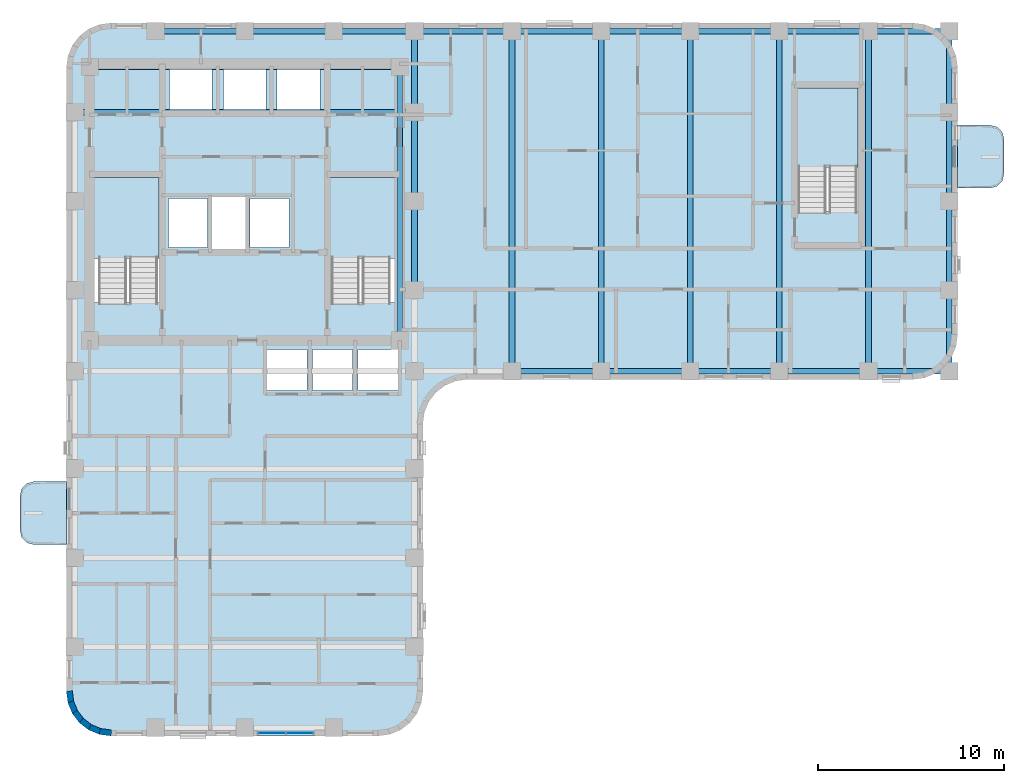
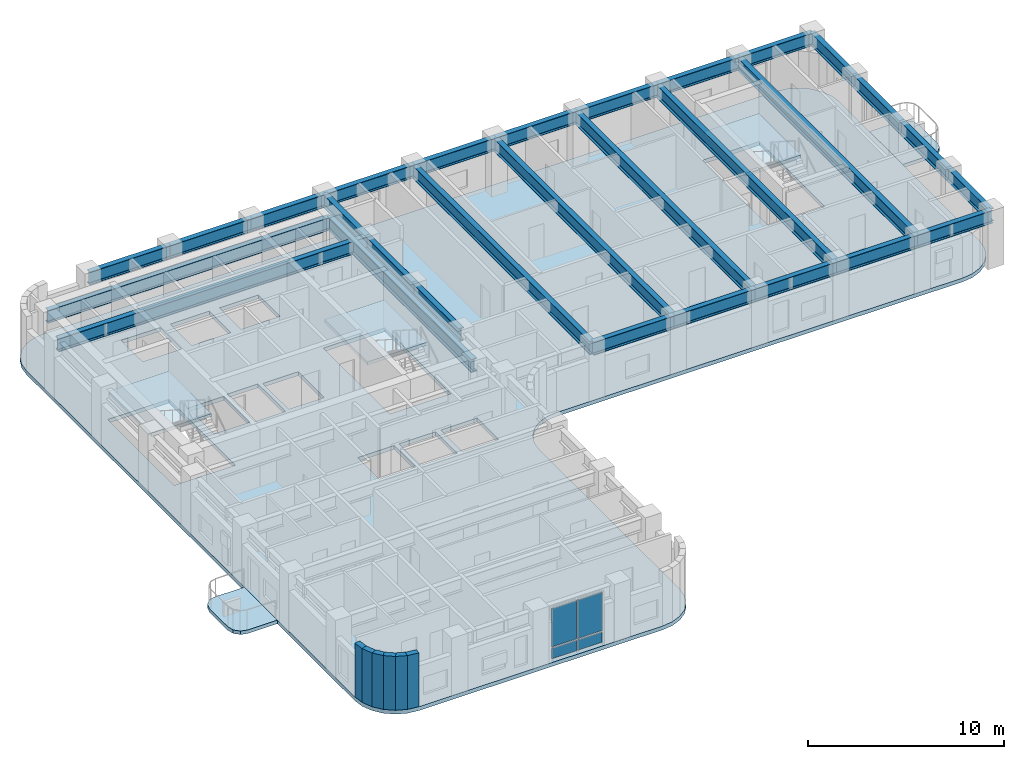
# One storey, part 3 of 11: 29 beams, 6 slabs, 6 walls, 4 plates, 4 elements without a shape of their own.
"""IFC4 building model written with IfcOpenShell, lengths in metres."""

from ifc_helpers import new_model, si_unit, direction, frame, frame_2d, origin, origin_2d, place, context, subcontext, project, spatial, polyline, rectangle, i_section, outline, extrude, material, layer, layer_set, material_profile, profile_set, type_object, element, aggregate, save


model = new_model("IFC4")

# Units and contexts
model_context = context("Model", 3, precision=1e-05, world=origin(), true_north=direction((0.0, 1.0)))
body_context = subcontext(model_context, "Body", "Model", "MODEL_VIEW")
ifc_project = project(units=[si_unit("LENGTHUNIT", "METRE"), si_unit("AREAUNIT", "SQUARE_METRE"), si_unit("VOLUMEUNIT", "CUBIC_METRE"), si_unit("PLANEANGLEUNIT", "RADIAN"), si_unit("MASSUNIT", "GRAM", prefix="KILO")], contexts=[model_context])

# Site, building, storey
site_placement = place(None, origin())
site = spatial("IfcSite", under=ifc_project, at=site_placement, CompositionType="ELEMENT")
building_placement = place(site_placement, origin())
building = spatial("IfcBuilding", under=site, at=building_placement, Name="Orvandelia Arch Residences", CompositionType="ELEMENT")
storey_placement = place(building_placement, frame((0.0, 0.0, 125.199951171875)))
storey = spatial("IfcBuildingStorey", under=building, at=storey_placement, Name="L32", CompositionType="ELEMENT", Elevation=125.199951171875)

# Beams
ifc_material_1 = material(Name="Structural Steel SM355 (355 MPa)", Category="steel")
ifc_material_profile = material_profile(ifc_material_1, i_section(OverallWidth=0.300048828125, OverallDepth=0.800048828125, WebThickness=0.013916015625, FlangeThickness=0.02587890625, FilletRadius=0.02587890625, at=origin_2d()), Name="Structural Steel SM355 (355 MPa)", Category="steel")
ifc_profile_set = profile_set([ifc_material_profile], Name="Structural Steel SM355 (355 MPa)")
beam_type = type_object("IfcBeamType", Name="BM-GRD-H800", PredefinedType="BEAM", material=ifc_profile_set)
beam_1_placement = place(storey_placement, frame((22.75, 30.89990234375, 2.9599609375), z_axis=(0.0, 1.0, 0.0), x_axis=(-1.0, 0.0, 0.0)))
element("IfcBeam", 1, at=beam_1_placement, inside=storey, type_object=beam_type, Name="Structural Frame Beam L32-NS-008", PredefinedType="BEAM", context=body_context, shape_type="SweptSolid", body=[
    extrude(i_section(OverallWidth=0.300048828125, OverallDepth=0.800048828125, WebThickness=0.013916015625, FlangeThickness=0.02587890625, FilletRadius=0.02587890625, at=origin_2d()), origin(), (0.0, 0.0, 1.0), 14.75),
])
beam_2_placement = place(storey_placement, frame((23.550048828125, 33.60009765625, 2.9599609375), z_axis=(0.0, 1.0, 0.0), x_axis=(-1.0, 0.0, 0.0)))
element("IfcBeam", 2, at=beam_2_placement, inside=storey, type_object=beam_type, Name="Structural Frame Beam L32-NS-013", PredefinedType="BEAM", context=body_context, shape_type="SweptSolid", body=[
    extrude(i_section(OverallWidth=0.300048828125, OverallDepth=0.800048828125, WebThickness=0.013916015625, FlangeThickness=0.02587890625, FilletRadius=0.02587890625, at=origin_2d()), origin(), (0.0, 0.0, 1.0), 4.7998046875),
])
beam_3_placement = place(storey_placement, frame((23.550048828125, 38.39990234375, 2.9599609375), z_axis=(0.0, 1.0, 0.0), x_axis=(-1.0, 0.0, 0.0)))
element("IfcBeam", 3, at=beam_3_placement, inside=storey, type_object=beam_type, Name="Structural Frame Beam L32-NS-014", PredefinedType="BEAM", context=body_context, shape_type="SweptSolid", body=[
    extrude(i_section(OverallWidth=0.300048828125, OverallDepth=0.800048828125, WebThickness=0.013916015625, FlangeThickness=0.02587890625, FilletRadius=0.02587890625, at=origin_2d()), origin(), (0.0, 0.0, 1.0), 4.800048828125),
])
beam_4_placement = place(storey_placement, frame((23.550048828125, 43.199951171875, 2.9599609375), z_axis=(0.0, 1.0, 0.0), x_axis=(-1.0, 0.0, 0.0)))
element("IfcBeam", 4, at=beam_4_placement, inside=storey, type_object=beam_type, Name="Structural Frame Beam L32-NS-015", PredefinedType="BEAM", context=body_context, shape_type="SweptSolid", body=[
    extrude(i_section(OverallWidth=0.300048828125, OverallDepth=0.800048828125, WebThickness=0.013916015625, FlangeThickness=0.02587890625, FilletRadius=0.02587890625, at=origin_2d()), origin(), (0.0, 0.0, 1.0), 4.35009765625),
])
for number, where, z_axis, x_axis, name in (
    (5, (28.800048828125, 29.25, 2.9599609375), (0.0, 1.0, 0.0), (-1.0, 0.0, 0.0), "Structural Frame Beam L32-NS-016"),
    (6, (33.60009765625, 29.25, 2.9599609375), (0.0, 1.0, 0.0), (-1.0, 0.0, 0.0), "Structural Frame Beam L32-NS-017"),
    (7, (38.39990234375, 29.25, 2.9599609375), (0.0, 1.0, 0.0), (-1.0, 0.0, 0.0), "Structural Frame Beam L32-NS-018"),
    (8, (43.199951171875, 29.25, 2.9599609375), (0.0, 1.0, 0.0), (-1.0, 0.0, 0.0), "Structural Frame Beam L32-NS-019"),
    (9, (48.0, 29.25, 2.9599609375), (0.0, 1.0, 0.0), (-1.0, 0.0, 0.0), "Structural Frame Beam L32-NS-020"),
):
    element("IfcBeam", number, at=place(storey_placement, frame(where, z_axis=z_axis, x_axis=x_axis)), inside=storey, type_object=beam_type, Name=name, PredefinedType="BEAM", context=body_context, shape_type="SweptSolid", body=[
        extrude(i_section(OverallWidth=0.300048828125, OverallDepth=0.800048828125, WebThickness=0.013916015625, FlangeThickness=0.02587890625, FilletRadius=0.02587890625, at=origin_2d()), origin(), (0.0, 0.0, 1.0), 18.300048828125),
    ])
beam_5_placement = place(storey_placement, frame((52.35009765625, 29.25, 2.9599609375), z_axis=(0.0, 1.0, 0.0), x_axis=(-1.0, 0.0, 0.0)))
element("IfcBeam", 10, at=beam_5_placement, inside=storey, type_object=beam_type, Name="Structural Frame Beam L32-NS-021", PredefinedType="BEAM", context=body_context, shape_type="SweptSolid", body=[
    extrude(i_section(OverallWidth=0.300048828125, OverallDepth=0.800048828125, WebThickness=0.013916015625, FlangeThickness=0.02587890625, FilletRadius=0.02587890625, at=origin_2d()), origin(), (0.0, 0.0, 1.0), 4.35009765625),
])
beam_6_placement = place(storey_placement, frame((52.35009765625, 33.60009765625, 2.9599609375), z_axis=(0.0, 1.0, 0.0), x_axis=(-1.0, 0.0, 0.0)))
element("IfcBeam", 11, at=beam_6_placement, inside=storey, type_object=beam_type, Name="Structural Frame Beam L32-NS-022", PredefinedType="BEAM", context=body_context, shape_type="SweptSolid", body=[
    extrude(i_section(OverallWidth=0.300048828125, OverallDepth=0.800048828125, WebThickness=0.013916015625, FlangeThickness=0.02587890625, FilletRadius=0.02587890625, at=origin_2d()), origin(), (0.0, 0.0, 1.0), 4.7998046875),
])
beam_7_placement = place(storey_placement, frame((52.35009765625, 38.39990234375, 2.9599609375), z_axis=(0.0, 1.0, 0.0), x_axis=(-1.0, 0.0, 0.0)))
element("IfcBeam", 12, at=beam_7_placement, inside=storey, type_object=beam_type, Name="Structural Frame Beam L32-NS-023", PredefinedType="BEAM", context=body_context, shape_type="SweptSolid", body=[
    extrude(i_section(OverallWidth=0.300048828125, OverallDepth=0.800048828125, WebThickness=0.013916015625, FlangeThickness=0.02587890625, FilletRadius=0.02587890625, at=origin_2d()), origin(), (0.0, 0.0, 1.0), 4.800048828125),
])
beam_8_placement = place(storey_placement, frame((52.35009765625, 43.199951171875, 2.9599609375), z_axis=(0.0, 1.0, 0.0), x_axis=(-1.0, 0.0, 0.0)))
element("IfcBeam", 13, at=beam_8_placement, inside=storey, type_object=beam_type, Name="Structural Frame Beam L32-NS-024", PredefinedType="BEAM", context=body_context, shape_type="SweptSolid", body=[
    extrude(i_section(OverallWidth=0.300048828125, OverallDepth=0.800048828125, WebThickness=0.013916015625, FlangeThickness=0.02587890625, FilletRadius=0.02587890625, at=origin_2d()), origin(), (0.0, 0.0, 1.0), 4.35009765625),
])
beam_9_placement = place(storey_placement, frame((28.800048828125, 29.25, 2.9599609375), z_axis=(1.0, 0.0, 0.0), x_axis=(0.0, 1.0, 0.0)))
element("IfcBeam", 14, at=beam_9_placement, inside=storey, type_object=beam_type, Name="Structural Frame Girder L32-EW-032", PredefinedType="BEAM", context=body_context, shape_type="SweptSolid", body=[
    extrude(i_section(OverallWidth=0.300048828125, OverallDepth=0.800048828125, WebThickness=0.013916015625, FlangeThickness=0.02587890625, FilletRadius=0.02587890625, at=origin_2d()), origin(), (0.0, 0.0, 1.0), 4.800048828125),
])
beam_10_placement = place(storey_placement, frame((33.60009765625, 29.25, 2.9599609375), z_axis=(1.0, 0.0, 0.0), x_axis=(0.0, 1.0, 0.0)))
element("IfcBeam", 15, at=beam_10_placement, inside=storey, type_object=beam_type, Name="Structural Frame Girder L32-EW-033", PredefinedType="BEAM", context=body_context, shape_type="SweptSolid", body=[
    extrude(i_section(OverallWidth=0.300048828125, OverallDepth=0.800048828125, WebThickness=0.013916015625, FlangeThickness=0.02587890625, FilletRadius=0.02587890625, at=origin_2d()), origin(), (0.0, 0.0, 1.0), 4.7998046875),
])
for number, where, z_axis, x_axis, name in (
    (16, (38.39990234375, 29.25, 2.9599609375), (1.0, 0.0, 0.0), (0.0, 1.0, 0.0), "Structural Frame Girder L32-EW-034"),
    (17, (43.199951171875, 29.25, 2.9599609375), (1.0, 0.0, 0.0), (0.0, 1.0, 0.0), "Structural Frame Girder L32-EW-035"),
):
    element("IfcBeam", number, at=place(storey_placement, frame(where, z_axis=z_axis, x_axis=x_axis)), inside=storey, type_object=beam_type, Name=name, PredefinedType="BEAM", context=body_context, shape_type="SweptSolid", body=[
        extrude(i_section(OverallWidth=0.300048828125, OverallDepth=0.800048828125, WebThickness=0.013916015625, FlangeThickness=0.02587890625, FilletRadius=0.02587890625, at=origin_2d()), origin(), (0.0, 0.0, 1.0), 4.800048828125),
    ])
beam_11_placement = place(storey_placement, frame((48.0, 29.25, 2.9599609375), z_axis=(1.0, 0.0, 0.0), x_axis=(0.0, 1.0, 0.0)))
element("IfcBeam", 18, at=beam_11_placement, inside=storey, type_object=beam_type, Name="Structural Frame Girder L32-EW-036", PredefinedType="BEAM", context=body_context, shape_type="SweptSolid", body=[
    extrude(i_section(OverallWidth=0.300048828125, OverallDepth=0.800048828125, WebThickness=0.013916015625, FlangeThickness=0.02587890625, FilletRadius=0.02587890625, at=origin_2d()), origin(), (0.0, 0.0, 1.0), 4.35009765625),
])
beam_12_placement = place(storey_placement, frame((5.25, 43.199951171875, 2.9599609375), z_axis=(1.0, 0.0, 0.0), x_axis=(0.0, 1.0, 0.0)))
element("IfcBeam", 19, at=beam_12_placement, inside=storey, type_object=beam_type, Name="Structural Frame Girder L32-EW-040", PredefinedType="BEAM", context=body_context, shape_type="SweptSolid", body=[
    extrude(i_section(OverallWidth=0.300048828125, OverallDepth=0.800048828125, WebThickness=0.013916015625, FlangeThickness=0.02587890625, FilletRadius=0.02587890625, at=origin_2d()), origin(), (0.0, 0.0, 1.0), 18.300048828125),
])
beam_13_placement = place(storey_placement, frame((6.050048828125, 45.64990234375, 2.9599609375), z_axis=(1.0, 0.0, 0.0), x_axis=(0.0, 1.0, 0.0)))
element("IfcBeam", 20, at=beam_13_placement, inside=storey, type_object=beam_type, Name="Structural Frame Girder L32-EW-041", PredefinedType="BEAM", context=body_context, shape_type="SweptSolid", body=[
    extrude(i_section(OverallWidth=0.300048828125, OverallDepth=0.800048828125, WebThickness=0.013916015625, FlangeThickness=0.02587890625, FilletRadius=0.02587890625, at=origin_2d()), origin(), (0.0, 0.0, 1.0), 16.699951171875),
])
beam_14_placement = place(storey_placement, frame((9.60009765625, 47.550048828125, 2.9599609375), z_axis=(1.0, 0.0, 0.0), x_axis=(0.0, 1.0, 0.0)))
element("IfcBeam", 21, at=beam_14_placement, inside=storey, type_object=beam_type, Name="Structural Frame Girder L32-EW-042", PredefinedType="BEAM", context=body_context, shape_type="SweptSolid", body=[
    extrude(i_section(OverallWidth=0.300048828125, OverallDepth=0.800048828125, WebThickness=0.013916015625, FlangeThickness=0.02587890625, FilletRadius=0.02587890625, at=origin_2d()), origin(), (0.0, 0.0, 1.0), 4.7998046875),
])
beam_15_placement = place(storey_placement, frame((14.39990234375, 47.550048828125, 2.9599609375), z_axis=(1.0, 0.0, 0.0), x_axis=(0.0, 1.0, 0.0)))
element("IfcBeam", 22, at=beam_15_placement, inside=storey, type_object=beam_type, Name="Structural Frame Girder L32-EW-043", PredefinedType="BEAM", context=body_context, shape_type="SweptSolid", body=[
    extrude(i_section(OverallWidth=0.300048828125, OverallDepth=0.800048828125, WebThickness=0.013916015625, FlangeThickness=0.02587890625, FilletRadius=0.02587890625, at=origin_2d()), origin(), (0.0, 0.0, 1.0), 4.800048828125),
])
beam_16_placement = place(storey_placement, frame((19.199951171875, 47.550048828125, 2.9599609375), z_axis=(1.0, 0.0, 0.0), x_axis=(0.0, 1.0, 0.0)))
element("IfcBeam", 23, at=beam_16_placement, inside=storey, type_object=beam_type, Name="Structural Frame Girder L32-EW-044", PredefinedType="BEAM", context=body_context, shape_type="SweptSolid", body=[
    extrude(i_section(OverallWidth=0.300048828125, OverallDepth=0.800048828125, WebThickness=0.013916015625, FlangeThickness=0.02587890625, FilletRadius=0.02587890625, at=origin_2d()), origin(), (0.0, 0.0, 1.0), 4.35009765625),
])
beam_17_placement = place(storey_placement, frame((23.550048828125, 47.550048828125, 2.9599609375), z_axis=(1.0, 0.0, 0.0), x_axis=(0.0, 1.0, 0.0)))
element("IfcBeam", 24, at=beam_17_placement, inside=storey, type_object=beam_type, Name="Structural Frame Girder L32-EW-045", PredefinedType="BEAM", context=body_context, shape_type="SweptSolid", body=[
    extrude(i_section(OverallWidth=0.300048828125, OverallDepth=0.800048828125, WebThickness=0.013916015625, FlangeThickness=0.02587890625, FilletRadius=0.02587890625, at=origin_2d()), origin(), (0.0, 0.0, 1.0), 5.25),
])
beam_18_placement = place(storey_placement, frame((28.800048828125, 47.550048828125, 2.9599609375), z_axis=(1.0, 0.0, 0.0), x_axis=(0.0, 1.0, 0.0)))
element("IfcBeam", 25, at=beam_18_placement, inside=storey, type_object=beam_type, Name="Structural Frame Girder L32-EW-046", PredefinedType="BEAM", context=body_context, shape_type="SweptSolid", body=[
    extrude(i_section(OverallWidth=0.300048828125, OverallDepth=0.800048828125, WebThickness=0.013916015625, FlangeThickness=0.02587890625, FilletRadius=0.02587890625, at=origin_2d()), origin(), (0.0, 0.0, 1.0), 4.800048828125),
])
beam_19_placement = place(storey_placement, frame((33.60009765625, 47.550048828125, 2.9599609375), z_axis=(1.0, 0.0, 0.0), x_axis=(0.0, 1.0, 0.0)))
element("IfcBeam", 26, at=beam_19_placement, inside=storey, type_object=beam_type, Name="Structural Frame Girder L32-EW-047", PredefinedType="BEAM", context=body_context, shape_type="SweptSolid", body=[
    extrude(i_section(OverallWidth=0.300048828125, OverallDepth=0.800048828125, WebThickness=0.013916015625, FlangeThickness=0.02587890625, FilletRadius=0.02587890625, at=origin_2d()), origin(), (0.0, 0.0, 1.0), 4.7998046875),
])
for number, where, z_axis, x_axis, name in (
    (27, (38.39990234375, 47.550048828125, 2.9599609375), (1.0, 0.0, 0.0), (0.0, 1.0, 0.0), "Structural Frame Girder L32-EW-048"),
    (28, (43.199951171875, 47.550048828125, 2.9599609375), (1.0, 0.0, 0.0), (0.0, 1.0, 0.0), "Structural Frame Girder L32-EW-049"),
):
    element("IfcBeam", number, at=place(storey_placement, frame(where, z_axis=z_axis, x_axis=x_axis)), inside=storey, type_object=beam_type, Name=name, PredefinedType="BEAM", context=body_context, shape_type="SweptSolid", body=[
        extrude(i_section(OverallWidth=0.300048828125, OverallDepth=0.800048828125, WebThickness=0.013916015625, FlangeThickness=0.02587890625, FilletRadius=0.02587890625, at=origin_2d()), origin(), (0.0, 0.0, 1.0), 4.800048828125),
    ])
beam_20_placement = place(storey_placement, frame((48.0, 47.550048828125, 2.9599609375), z_axis=(1.0, 0.0, 0.0), x_axis=(0.0, 1.0, 0.0)))
element("IfcBeam", 29, at=beam_20_placement, inside=storey, type_object=beam_type, Name="Structural Frame Girder L32-EW-050", PredefinedType="BEAM", context=body_context, shape_type="SweptSolid", body=[
    extrude(i_section(OverallWidth=0.300048828125, OverallDepth=0.800048828125, WebThickness=0.013916015625, FlangeThickness=0.02587890625, FilletRadius=0.02587890625, at=origin_2d()), origin(), (0.0, 0.0, 1.0), 4.35009765625),
])

# Curtain wall, plates
ifc_material_2 = material(Name="Anodised Bronze Curtain Wall Assembly")
curtain_wall_type = type_object("IfcCurtainWallType", Name="CW-SYS5-CORNER", PredefinedType="NOTDEFINED", material=ifc_material_2)
curtain_wall_placement = place(storey_placement, origin())
curtain_wall = element("IfcCurtainWall", 30, at=curtain_wall_placement, inside=storey, type_object=curtain_wall_type, Name="Feature Bay Winter-Garden Curtain Wall L32 1", PredefinedType="NOTDEFINED")
ifc_material_3 = material(Name="Insulated Bronze Aluminium Spandrel Panel", Category="aluminium")
ifc_layer_1 = layer(ifc_material_3, 0.0400390625, Name="Insulated Bronze Aluminium Spandrel Panel", Category="aluminium")
ifc_layer_set_1 = layer_set([ifc_layer_1], Name="Insulated Bronze Aluminium Spandrel Panel")
plate_type_1 = type_object("IfcPlateType", Name="CW-PANEL-SPANDREL", PredefinedType="SHEET", material=ifc_layer_set_1)
plate_1_placement = place(storey_placement, frame((15.8662109375, 9.760009765625, 0.125), z_axis=(0.0, 0.0, 1.0), x_axis=(1.0, 0.0, 0.0)))
plate_1 = element("IfcPlate", 31, at=plate_1_placement, type_object=plate_type_1, Name="Curtain Wall Spandrel Panel CW-L32-1-PS1", PredefinedType="SHEET", context=body_context, shape_type="SweptSolid", body=[
    extrude(rectangle(XDim=1.452392578125, YDim=0.0400390625, at=origin_2d()), origin(), (0.0, 0.0, 1.0), 0.62646484375),
])
plate_2_placement = place(storey_placement, frame((17.36865234375, 9.760009765625, 0.125), z_axis=(0.0, 0.0, 1.0), x_axis=(1.0, 0.0, 0.0)))
plate_2 = element("IfcPlate", 32, at=plate_2_placement, type_object=plate_type_1, Name="Curtain Wall Spandrel Panel CW-L32-1-PS2", PredefinedType="SHEET", context=body_context, shape_type="SweptSolid", body=[
    extrude(rectangle(XDim=1.452392578125, YDim=0.0400390625, at=origin_2d()), origin(), (0.0, 0.0, 1.0), 0.62646484375),
])
ifc_material_4 = material(Name="Low-E Laminated Double Glazing", Category="glass")
ifc_layer_2 = layer(ifc_material_4, 0.031982421875, Name="Low-E Laminated Double Glazing", Category="glass")
ifc_layer_set_2 = layer_set([ifc_layer_2], Name="Low-E Laminated Double Glazing")
plate_type_2 = type_object("IfcPlateType", Name="CW-PANEL-VISION", PredefinedType="CURTAIN_PANEL", material=ifc_layer_set_2)
plate_3_placement = place(storey_placement, frame((15.8662109375, 9.760009765625, 0.861572265625), z_axis=(0.0, 0.0, 1.0), x_axis=(1.0, 0.0, 0.0)))
plate_3 = element("IfcPlate", 33, at=plate_3_placement, type_object=plate_type_2, Name="Curtain Wall Vision Glass Panel CW-L32-1-PV1", PredefinedType="CURTAIN_PANEL", context=body_context, shape_type="SweptSolid", body=[
    extrude(rectangle(XDim=1.452392578125, YDim=0.031982421875, at=origin_2d()), origin(), (0.0, 0.0, 1.0), 2.37353515625),
])
plate_4_placement = place(storey_placement, frame((17.36865234375, 9.760009765625, 0.861572265625), z_axis=(0.0, 0.0, 1.0), x_axis=(1.0, 0.0, 0.0)))
plate_4 = element("IfcPlate", 34, at=plate_4_placement, type_object=plate_type_2, Name="Curtain Wall Vision Glass Panel CW-L32-1-PV2", PredefinedType="CURTAIN_PANEL", context=body_context, shape_type="SweptSolid", body=[
    extrude(rectangle(XDim=1.452392578125, YDim=0.031982421875, at=origin_2d()), origin(), (0.0, 0.0, 1.0), 2.37353515625),
])
aggregate(curtain_wall, [plate_1, plate_3, plate_2, plate_4])

# Slabs
ifc_material_5 = material(Name="Precast concrete C40/50", Category="concrete")
ifc_layer_3 = layer(ifc_material_5, 0.219970703125, Name="Precast concrete C40/50", Category="concrete")
ifc_layer_set_3 = layer_set([ifc_layer_3], Name="Precast concrete C40/50")
slab_type_1 = type_object("IfcSlabType", Name="SLB-BAL-220", PredefinedType="USERDEFINED", material=ifc_layer_set_3)
slab_1_placement = place(storey_placement, frame((0.0, 0.0, -0.219970703125)))
element("IfcSlab", 35, at=slab_1_placement, inside=storey, type_object=slab_type_1, Name="Tree Balcony Cantilever Slab BAL-L32-W1", ObjectType="BALCONY", PredefinedType="USERDEFINED", context=body_context, shape_type="SweptSolid", body=[
    extrude(outline(polyline([(4.800048828125, 19.89990234375), (4.800048828125, 23.300048828125), (3.050048828125, 23.300048828125), (2.675048828125, 23.199462890625), (2.400390625, 22.925048828125), (2.300048828125, 22.550048828125), (2.300048828125, 20.64990234375), (2.400390625, 20.27490234375), (2.675048828125, 20.00048828125), (3.050048828125, 19.89990234375), (4.800048828125, 19.89990234375)])), origin(), (0.0, 0.0, 1.0), 0.219970703125),
])
slab_2_placement = place(storey_placement, frame((0.0, 0.0, -0.219970703125)))
element("IfcSlab", 36, at=slab_2_placement, inside=storey, type_object=slab_type_1, Name="Tree Balcony Cantilever Slab BAL-L32-E1", ObjectType="BALCONY", PredefinedType="USERDEFINED", context=body_context, shape_type="SweptSolid", body=[
    extrude(outline(polyline([(52.800048828125, 42.5), (52.800048828125, 39.10009765625), (54.550048828125, 39.10009765625), (54.925048828125, 39.200439453125), (55.199462890625, 39.47509765625), (55.300048828125, 39.85009765625), (55.300048828125, 41.75), (55.199462890625, 42.125), (54.925048828125, 42.3994140625), (54.550048828125, 42.5), (52.800048828125, 42.5)])), origin(), (0.0, 0.0, 1.0), 0.219970703125),
])

# Stair, slab
ifc_material_6 = material(Name="Concrete C40/50", Category="concrete")
stair_type = type_object("IfcStairType", Name="STAIR-RC-DOGLEG", PredefinedType="HALF_TURN_STAIR", material=ifc_material_6)
stair_1_placement = place(storey_placement, origin())
stair_1 = element("IfcStair", 37, at=stair_1_placement, inside=storey, type_object=stair_type, Name="L32 Protected Exit Stair ST-1", PredefinedType="HALF_TURN_STAIR")
ifc_layer_4 = layer(ifc_material_6, 0.219970703125, Name="Concrete C40/50", Category="concrete")
ifc_layer_set_4 = layer_set([ifc_layer_4], Name="Concrete C40/50")
slab_type_2 = type_object("IfcSlabType", Name="SLB-LANDING-220", PredefinedType="LANDING", material=ifc_layer_set_4)
slab_3_placement = place(storey_placement, frame((0.0, 0.0, 1.60009765625)))
slab_3 = element("IfcSlab", 38, at=slab_3_placement, type_object=slab_type_2, Name="ST-1 landing 1", PredefinedType="LANDING", context=body_context, shape_type="SweptSolid", body=[
    extrude(outline(polyline([(9.800048828125, 35.31005859375), (9.800048828125, 39.68994140625), (6.260009765625, 39.68994140625), (6.260009765625, 35.31005859375), (9.800048828125, 35.31005859375)])), origin(), (0.0, 0.0, 1.0), 0.199951171875),
])
aggregate(stair_1, [slab_3])

stair_2_placement = place(storey_placement, origin())
stair_2 = element("IfcStair", 39, at=stair_2_placement, inside=storey, type_object=stair_type, Name="L32 Protected Exit Stair ST-2", PredefinedType="HALF_TURN_STAIR")
slab_4_placement = place(storey_placement, frame((0.0, 0.0, 1.60009765625)))
slab_4 = element("IfcSlab", 40, at=slab_4_placement, type_object=slab_type_2, Name="ST-2 landing 1", PredefinedType="LANDING", context=body_context, shape_type="SweptSolid", body=[
    extrude(outline(polyline([(22.5400390625, 35.31005859375), (22.5400390625, 39.68994140625), (19.0, 39.68994140625), (19.0, 35.31005859375), (22.5400390625, 35.31005859375)])), origin(), (0.0, 0.0, 1.0), 0.199951171875),
])
aggregate(stair_2, [slab_4])

stair_3_placement = place(storey_placement, origin())
stair_3 = element("IfcStair", 41, at=stair_3_placement, inside=storey, type_object=stair_type, Name="L32 East Wing Exit Stair ST-3", PredefinedType="HALF_TURN_STAIR")
slab_5_placement = place(storey_placement, frame((0.0, 0.0, 1.60009765625)))
slab_5 = element("IfcSlab", 42, at=slab_5_placement, type_object=slab_type_2, Name="ST-3 landing 1", PredefinedType="LANDING", context=body_context, shape_type="SweptSolid", body=[
    extrude(outline(polyline([(47.43994140625, 40.2099609375), (47.43994140625, 44.5), (44.179931640625, 44.5), (44.179931640625, 40.2099609375), (47.43994140625, 40.2099609375)])), origin(), (0.0, 0.0, 1.0), 0.199951171875),
])
aggregate(stair_3, [slab_5])

# Slab
ifc_layer_5 = layer(ifc_material_6, 0.239990234375, Name="Concrete C40/50", Category="concrete")
ifc_layer_set_5 = layer_set([ifc_layer_5], Name="Concrete C40/50")
slab_type_3 = type_object("IfcSlabType", Name="SLB-TWR-240", PredefinedType="FLOOR", material=ifc_layer_set_5)
slab_6_placement = place(storey_placement, frame((0.0, 0.0, -0.239990234375)))
element("IfcSlab", 43, at=slab_6_placement, inside=storey, type_object=slab_type_3, Name="Structural Floor Slab L32-1", PredefinedType="FLOOR", context=body_context, shape_type="SweptSolid", body=[
    extrude(outline(polyline([(4.800048828125, 12.0), (4.8818359375, 11.37890625), (5.12158203125, 10.800048828125), (5.5029296875, 10.302978515625), (6.0, 9.92138671875), (6.578857421875, 9.681884765625), (7.199951171875, 9.60009765625), (21.60009765625, 9.60009765625), (22.22119140625, 9.681884765625), (22.800048828125, 9.92138671875), (23.297119140625, 10.302978515625), (23.678466796875, 10.800048828125), (23.918212890625, 11.37890625), (24.0, 12.0), (24.0, 26.39990234375), (24.081787109375, 27.021240234375), (24.321533203125, 27.60009765625), (24.702880859375, 28.09716796875), (25.199951171875, 28.478515625), (25.77880859375, 28.71826171875), (26.39990234375, 28.800048828125), (50.39990234375, 28.800048828125), (51.021240234375, 28.8818359375), (51.60009765625, 29.12158203125), (52.09716796875, 29.5029296875), (52.478515625, 30.0), (52.71826171875, 30.578857421875), (52.800048828125, 31.199951171875), (52.800048828125, 45.60009765625), (52.71826171875, 46.22119140625), (52.478515625, 46.800048828125), (52.09716796875, 47.297119140625), (51.60009765625, 47.678466796875), (51.021240234375, 47.918212890625), (50.39990234375, 48.0), (7.199951171875, 48.0), (6.578857421875, 47.918212890625), (6.0, 47.678466796875), (5.5029296875, 47.297119140625), (5.12158203125, 46.800048828125), (4.8818359375, 46.22119140625), (4.800048828125, 45.60009765625), (4.800048828125, 12.0)]), holes=[polyline([(6.219970703125, 32.949951171875), (9.840087890625, 32.949951171875), (9.840087890625, 39.72998046875), (6.219970703125, 39.72998046875), (6.219970703125, 32.949951171875)]), polyline([(18.9599609375, 32.949951171875), (22.580078125, 32.949951171875), (22.580078125, 39.72998046875), (18.9599609375, 39.72998046875), (18.9599609375, 32.949951171875)]), polyline([(44.139892578125, 37.85009765625), (47.47998046875, 37.85009765625), (47.47998046875, 44.5400390625), (44.139892578125, 44.5400390625), (44.139892578125, 37.85009765625)]), polyline([(12.639892578125, 35.81005859375), (14.4599609375, 35.81005859375), (14.4599609375, 38.639892578125), (12.639892578125, 38.639892578125), (12.639892578125, 35.81005859375)]), polyline([(10.300048828125, 35.89990234375), (12.39990234375, 35.89990234375), (12.39990234375, 38.550048828125), (10.300048828125, 38.550048828125), (10.300048828125, 35.89990234375)]), polyline([(14.699951171875, 35.89990234375), (16.800048828125, 35.89990234375), (16.800048828125, 38.550048828125), (14.699951171875, 38.550048828125), (14.699951171875, 35.89990234375)]), polyline([(10.35009765625, 43.300048828125), (12.64990234375, 43.300048828125), (12.64990234375, 45.5), (10.35009765625, 45.5), (10.35009765625, 43.300048828125)]), polyline([(13.25, 43.300048828125), (15.550048828125, 43.300048828125), (15.550048828125, 45.5), (13.25, 45.5), (13.25, 43.300048828125)]), polyline([(16.14990234375, 43.300048828125), (18.449951171875, 43.300048828125), (18.449951171875, 45.5), (16.14990234375, 45.5), (16.14990234375, 43.300048828125)]), polyline([(15.60009765625, 28.199951171875), (17.75, 28.199951171875), (17.75, 30.39990234375), (15.60009765625, 30.39990234375), (15.60009765625, 28.199951171875)]), polyline([(18.050048828125, 28.199951171875), (20.199951171875, 28.199951171875), (20.199951171875, 30.39990234375), (18.050048828125, 30.39990234375), (18.050048828125, 28.199951171875)]), polyline([(20.5, 28.199951171875), (22.64990234375, 28.199951171875), (22.64990234375, 30.39990234375), (20.5, 30.39990234375), (20.5, 28.199951171875)])]), origin(), (0.0, 0.0, 1.0), 0.239990234375),
])

# Walls
ifc_layer_6 = layer(ifc_material_5, 0.320068359375, Name="Precast concrete C40/50", Category="concrete")
ifc_layer_set_6 = layer_set([ifc_layer_6], Name="Precast concrete C40/50")
wall_type = type_object("IfcWallType", Name="WL-EXT-STONE-320", PredefinedType="STANDARD", material=ifc_layer_set_6)
wall_1_placement = place(storey_placement, frame((7.220947265625, 9.758544921875, 0.0), z_axis=(0.0, 0.0, 1.0), x_axis=(-0.991447664465, 0.130504898859, 0.0)))
element("IfcWall", 44, at=wall_1_placement, inside=storey, type_object=wall_type, Name="Coral-Limestone Precast Facade Wall L32-037", PredefinedType="STANDARD", context=body_context, shape_type="SweptSolid", body=[
    extrude(rectangle(XDim=0.626708984375, YDim=0.320068359375, at=frame_2d((0.3134765625, 0.0))), origin(), (0.0, 0.0, 1.0), 3.360107421875),
])
wall_2_placement = place(storey_placement, frame((6.639892578125, 9.82958984375, 0.0), z_axis=(0.0, 0.0, 1.0), x_axis=(-0.923836271867, 0.382787856107, 0.0)))
element("IfcWall", 45, at=wall_2_placement, inside=storey, type_object=wall_type, Name="Coral-Limestone Precast Facade Wall L32-038", PredefinedType="STANDARD", context=body_context, shape_type="SweptSolid", body=[
    extrude(rectangle(XDim=0.626220703125, YDim=0.320068359375, at=frame_2d((0.31298828125, 0.0))), origin(), (0.0, 0.0, 1.0), 3.360107421875),
])
wall_3_placement = place(storey_placement, frame((6.097412109375, 10.04833984375, 0.0), z_axis=(0.0, 0.0, 1.0), x_axis=(-0.793405610854, 0.608693302629, 0.0)))
element("IfcWall", 46, at=wall_3_placement, inside=storey, type_object=wall_type, Name="Coral-Limestone Precast Facade Wall L32-039", PredefinedType="STANDARD", context=body_context, shape_type="SweptSolid", body=[
    extrude(rectangle(XDim=0.62646484375, YDim=0.320068359375, at=frame_2d((0.313232421875, 0.0))), origin(), (0.0, 0.0, 1.0), 3.360107421875),
])
wall_4_placement = place(storey_placement, frame((5.6298828125, 10.400390625, 0.0), z_axis=(0.0, 0.0, 1.0), x_axis=(-0.608938521285, 0.7932174212, 0.0)))
element("IfcWall", 47, at=wall_4_placement, inside=storey, type_object=wall_type, Name="Coral-Limestone Precast Facade Wall L32-040", PredefinedType="STANDARD", context=body_context, shape_type="SweptSolid", body=[
    extrude(rectangle(XDim=0.626708984375, YDim=0.320068359375, at=frame_2d((0.3134765625, 0.0))), origin(), (0.0, 0.0, 1.0), 3.360107421875),
])
wall_5_placement = place(storey_placement, frame((5.269287109375, 10.861083984375, 0.0), z_axis=(0.0, 0.0, 1.0), x_axis=(-0.382650053678, 0.92389335771, 0.0)))
element("IfcWall", 48, at=wall_5_placement, inside=storey, type_object=wall_type, Name="Coral-Limestone Precast Facade Wall L32-041", PredefinedType="STANDARD", context=body_context, shape_type="SweptSolid", body=[
    extrude(rectangle(XDim=0.62646484375, YDim=0.320068359375, at=frame_2d((0.313232421875, 0.0))), origin(), (0.0, 0.0, 1.0), 3.360107421875),
])
wall_6_placement = place(storey_placement, frame((5.040283203125, 11.399658203125, 0.0), z_axis=(0.0, 0.0, 1.0), x_axis=(-0.130504898859, 0.991447664465, 0.0)))
element("IfcWall", 49, at=wall_6_placement, inside=storey, type_object=wall_type, Name="Coral-Limestone Precast Facade Wall L32-042", PredefinedType="STANDARD", context=body_context, shape_type="SweptSolid", body=[
    extrude(rectangle(XDim=0.626708984375, YDim=0.320068359375, at=frame_2d((0.3134765625, 0.0))), origin(), (0.0, 0.0, 1.0), 3.360107421875),
])

save(model, "model.ifc")
